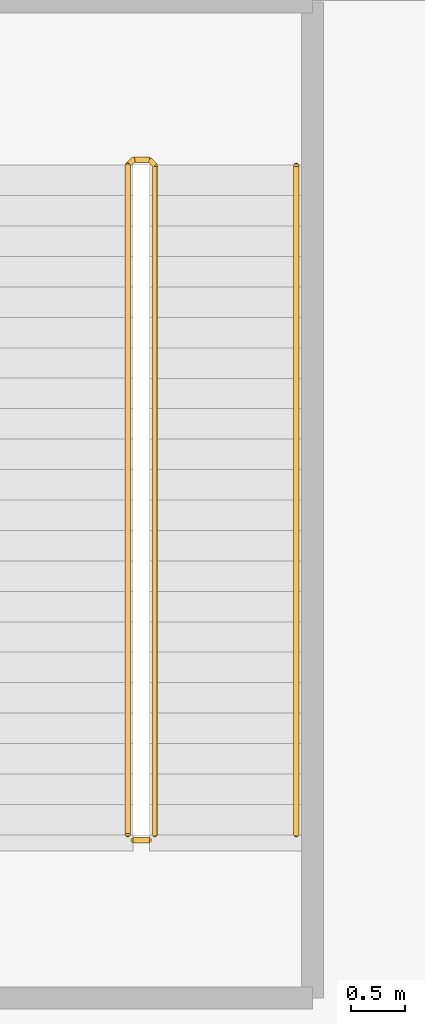
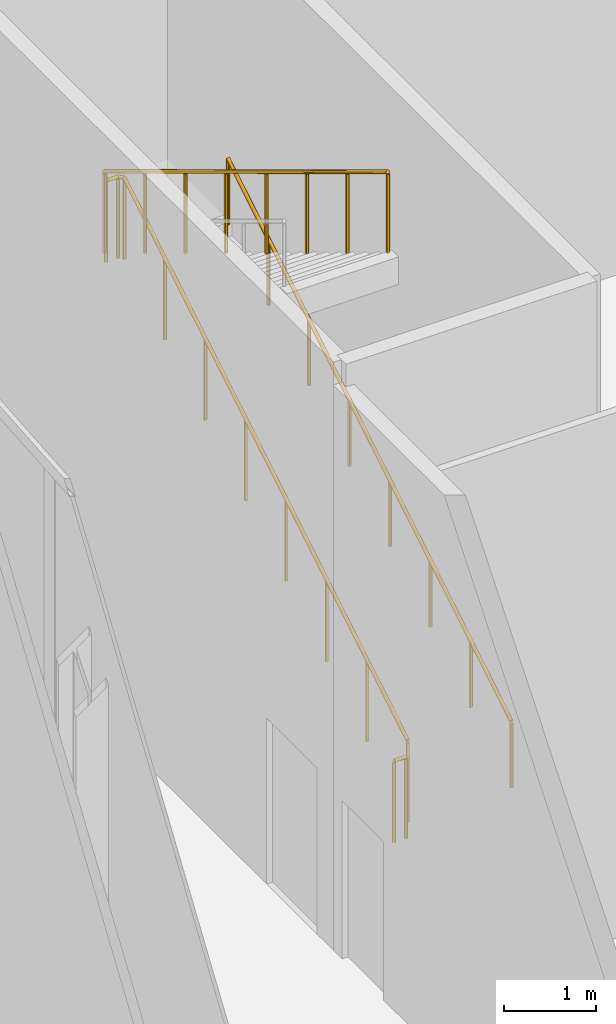
# One storey, part 36 of 37: 3 railings.
"""IFC4 building model written with IfcOpenShell, lengths in metres."""

from ifc_helpers import new_model, si_unit, direction, frame, origin, origin_2d, place, context, subcontext, project, spatial, circle, extrude, material, type_object, element, save


model = new_model("IFC4")

# Units and contexts
model_context = context("Model", 3, precision=1e-05, world=origin(), true_north=direction((0.0, 1.0)))
body_context = subcontext(model_context, "Body", "Model", "MODEL_VIEW")
ifc_project = project(units=[si_unit("LENGTHUNIT", "METRE"), si_unit("AREAUNIT", "SQUARE_METRE"), si_unit("VOLUMEUNIT", "CUBIC_METRE"), si_unit("PLANEANGLEUNIT", "RADIAN"), si_unit("MASSUNIT", "GRAM", prefix="KILO")], contexts=[model_context])

# Site, building, storey
site_placement = place(None, origin())
site = spatial("IfcSite", under=ifc_project, at=site_placement, CompositionType="ELEMENT")
building_placement = place(site_placement, origin())
building = spatial("IfcBuilding", under=site, at=building_placement, Name="Kheshtan School and Residences Tower", CompositionType="ELEMENT")
storey_placement = place(building_placement, frame((0.0, 0.0, 144.800048828125)))
storey = spatial("IfcBuildingStorey", under=building, at=storey_placement, Name="L34", CompositionType="ELEMENT", Elevation=144.800048828125)

# Railings
ifc_material_1 = material(Name="Stainless steel balustrade", Category="steel")
railing_type_1 = type_object("IfcRailingType", Name="Stair guard 1100", PredefinedType="GUARDRAIL", material=ifc_material_1)
railing_1_placement = place(storey_placement, frame((35.0, 80.89990234375, 0.16943359375)))
element("IfcRailing", 1, at=railing_1_placement, inside=storey, type_object=railing_type_1, Name="L34 ST3 stair guard 1", PredefinedType="GUARDRAIL", context=body_context, shape_type="SweptSolid", body=[
    extrude(circle(Radius=0.02392578125, at=origin_2d()), frame((0.0, 0.0, 1.076171875), z_axis=(0.0, 0.855379917629, 0.518001154937), x_axis=(-1.0, 0.0, 0.0)), (0.0, 0.0, 1.0), 7.20166015625),
    extrude(circle(Radius=0.02392578125, at=origin_2d()), frame((0.0, 6.16015625, 4.806640625), z_axis=(-0.707106781187, 0.707106781187, 0.0), x_axis=(-0.707106781187, -0.707106781187, 0.0)), (0.0, 0.0, 1.0), 0.07080078125),
    extrude(circle(Radius=0.02392578125, at=origin_2d()), frame((-0.050048828125, 6.210205078125, 4.806640625), z_axis=(-1.0, 0.0, 0.0), x_axis=(0.0, -1.0, 0.0)), (0.0, 0.0, 1.0), 0.14990234375),
    extrude(circle(Radius=0.02392578125, at=origin_2d()), frame((-0.199951171875, 6.210205078125, 4.806640625), z_axis=(-0.272228512635, -0.272228512635, 0.92292105503), x_axis=(0.707106781187, -0.707106781187, 0.0)), (0.0, 0.0, 1.0), 0.183837890625),
    extrude(circle(Radius=0.02392578125, at=origin_2d()), frame((-0.25, 6.16015625, 4.97607421875), z_axis=(0.0, -0.855379917629, 0.518001154937), x_axis=(1.0, 0.0, 0.0)), (0.0, 0.0, 1.0), 7.20166015625),
    extrude(circle(Radius=0.02099609375, at=origin_2d()), origin(), (0.0, 0.0, 1.0), 1.052001953125),
    extrude(circle(Radius=0.02099609375, at=origin_2d()), frame((0.0, 0.880126953125, 0.532958984375)), (0.0, 0.0, 1.0), 1.052001953125),
    extrude(circle(Radius=0.02099609375, at=origin_2d()), frame((0.0, 1.760009765625, 1.06591796875)), (0.0, 0.0, 1.0), 1.052001953125),
    extrude(circle(Radius=0.02099609375, at=origin_2d()), frame((0.0, 2.64013671875, 1.598876953125)), (0.0, 0.0, 1.0), 1.052001953125),
    extrude(circle(Radius=0.02099609375, at=origin_2d()), frame((0.0, 3.52001953125, 2.131591796875)), (0.0, 0.0, 1.0), 1.052001953125),
    extrude(circle(Radius=0.02099609375, at=origin_2d()), frame((0.0, 4.400146484375, 2.66455078125)), (0.0, 0.0, 1.0), 1.052001953125),
    extrude(circle(Radius=0.02099609375, at=origin_2d()), frame((0.0, 5.280029296875, 3.197509765625)), (0.0, 0.0, 1.0), 1.052001953125),
    extrude(circle(Radius=0.02099609375, at=origin_2d()), frame((0.0, 6.16015625, 3.73046875)), (0.0, 0.0, 1.0), 1.052001953125),
    extrude(circle(Radius=0.02099609375, at=origin_2d()), frame((-0.050048828125, 6.210205078125, 3.73046875)), (0.0, 0.0, 1.0), 1.052001953125),
    extrude(circle(Radius=0.02099609375, at=origin_2d()), frame((-0.199951171875, 6.210205078125, 3.73046875)), (0.0, 0.0, 1.0), 1.052001953125),
    extrude(circle(Radius=0.02099609375, at=origin_2d()), frame((-0.25, 6.16015625, 3.900146484375)), (0.0, 0.0, 1.0), 1.052001953125),
    extrude(circle(Radius=0.02099609375, at=origin_2d()), frame((-0.25, 5.280029296875, 4.43310546875)), (0.0, 0.0, 1.0), 1.052001953125),
    extrude(circle(Radius=0.02099609375, at=origin_2d()), frame((-0.25, 4.400146484375, 4.966064453125)), (0.0, 0.0, 1.0), 1.052001953125),
    extrude(circle(Radius=0.02099609375, at=origin_2d()), frame((-0.25, 3.52001953125, 5.4990234375)), (0.0, 0.0, 1.0), 1.052001953125),
    extrude(circle(Radius=0.02099609375, at=origin_2d()), frame((-0.25, 2.64013671875, 6.03173828125)), (0.0, 0.0, 1.0), 1.052001953125),
    extrude(circle(Radius=0.02099609375, at=origin_2d()), frame((-0.25, 1.760009765625, 6.564697265625)), (0.0, 0.0, 1.0), 1.052001953125),
    extrude(circle(Radius=0.02099609375, at=origin_2d()), frame((-0.25, 0.880126953125, 7.09765625)), (0.0, 0.0, 1.0), 1.052001953125),
    extrude(circle(Radius=0.02099609375, at=origin_2d()), frame((-0.25, 0.0, 7.630615234375)), (0.0, 0.0, 1.0), 1.052001953125),
])
railing_2_placement = place(storey_placement, frame((34.949951171875, 80.85009765625, 0.0)))
element("IfcRailing", 2, at=railing_2_placement, inside=storey, type_object=railing_type_1, Name="L34 ST3 stair guard 2", PredefinedType="GUARDRAIL", context=body_context, shape_type="SweptSolid", body=[
    extrude(circle(Radius=0.02392578125, at=origin_2d()), frame((0.0, 0.0, 1.076171875), z_axis=(-1.0, 0.0, 0.0), x_axis=(0.0, -1.0, 0.0)), (0.0, 0.0, 1.0), 0.14990234375),
    extrude(circle(Radius=0.02099609375, at=origin_2d()), origin(), (0.0, 0.0, 1.0), 1.052001953125),
    extrude(circle(Radius=0.02099609375, at=origin_2d()), frame((-0.14990234375, 0.0, 0.0)), (0.0, 0.0, 1.0), 1.052001953125),
])
ifc_material_2 = material(Name="Stainless steel handrail", Category="steel")
railing_type_2 = type_object("IfcRailingType", Name="Stair handrail 900", PredefinedType="HANDRAIL", material=ifc_material_2)
railing_3_placement = place(storey_placement, frame((36.300048828125, 80.89990234375, 0.16943359375)))
element("IfcRailing", 3, at=railing_3_placement, inside=storey, type_object=railing_type_2, Name="L34 ST3 stair handrail 1", PredefinedType="HANDRAIL", context=body_context, shape_type="SweptSolid", body=[
    extrude(circle(Radius=0.02392578125, at=origin_2d()), frame((0.0, 0.0, 0.8759765625), z_axis=(0.0, 0.855379917629, 0.518001154937), x_axis=(-1.0, 0.0, 0.0)), (0.0, 0.0, 1.0), 7.20166015625),
    extrude(circle(Radius=0.02099609375, at=origin_2d()), origin(), (0.0, 0.0, 1.0), 0.851806640625),
    extrude(circle(Radius=0.02099609375, at=origin_2d()), frame((0.0, 0.880126953125, 0.532958984375)), (0.0, 0.0, 1.0), 0.851806640625),
    extrude(circle(Radius=0.02099609375, at=origin_2d()), frame((0.0, 1.760009765625, 1.06591796875)), (0.0, 0.0, 1.0), 0.851806640625),
    extrude(circle(Radius=0.02099609375, at=origin_2d()), frame((0.0, 2.64013671875, 1.598876953125)), (0.0, 0.0, 1.0), 0.851806640625),
    extrude(circle(Radius=0.02099609375, at=origin_2d()), frame((0.0, 3.52001953125, 2.131591796875)), (0.0, 0.0, 1.0), 0.851806640625),
    extrude(circle(Radius=0.02099609375, at=origin_2d()), frame((0.0, 4.400146484375, 2.66455078125)), (0.0, 0.0, 1.0), 0.851806640625),
    extrude(circle(Radius=0.02099609375, at=origin_2d()), frame((0.0, 5.280029296875, 3.197509765625)), (0.0, 0.0, 1.0), 0.851806640625),
    extrude(circle(Radius=0.02099609375, at=origin_2d()), frame((0.0, 6.16015625, 3.73046875)), (0.0, 0.0, 1.0), 0.851806640625),
])

save(model, "model.ifc")
